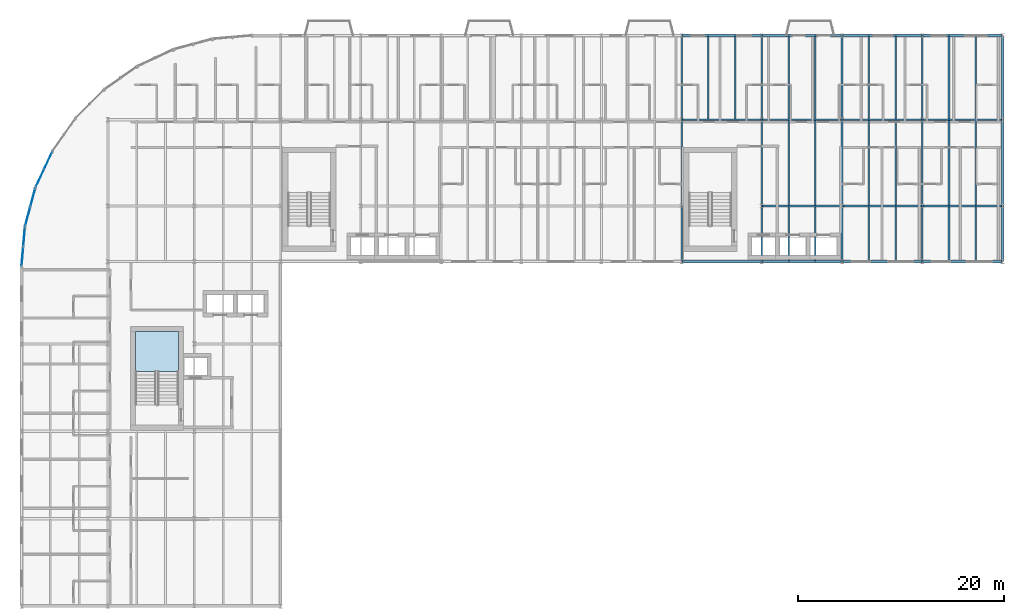
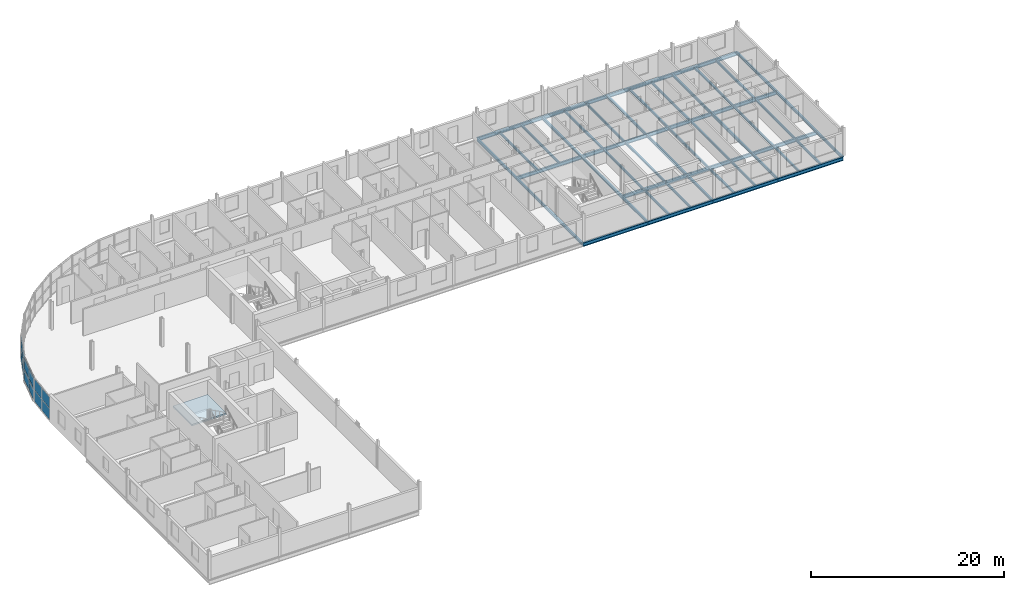
# One storey, part 10 of 25: 50 beams, 12 plates, 1 slab, 4 elements without a shape of their own.
"""IFC4 building model written with IfcOpenShell, lengths in metres."""

from ifc_helpers import new_model, si_unit, direction, frame, origin, origin_2d, place, context, subcontext, project, spatial, polyline, rectangle, i_section, outline, extrude, material, layer, layer_set, material_profile, profile_set, type_object, element, aggregate, save


model = new_model("IFC4")

# Units and contexts
model_context = context("Model", 3, precision=1e-05, world=origin(), true_north=direction((0.0, 1.0)))
body_context = subcontext(model_context, "Body", "Model", "MODEL_VIEW")
ifc_project = project(units=[si_unit("LENGTHUNIT", "METRE"), si_unit("AREAUNIT", "SQUARE_METRE"), si_unit("VOLUMEUNIT", "CUBIC_METRE"), si_unit("PLANEANGLEUNIT", "RADIAN"), si_unit("MASSUNIT", "GRAM", prefix="KILO")], contexts=[model_context])

# Site, building, storey
site_placement = place(None, origin())
site = spatial("IfcSite", under=ifc_project, at=site_placement, CompositionType="ELEMENT")
building_placement = place(site_placement, origin())
building = spatial("IfcBuilding", under=site, at=building_placement, Name="Sefraquen Railside Congress Hotel", CompositionType="ELEMENT")
storey_placement = place(building_placement, frame((0.0, 0.0, 39.0)))
storey = spatial("IfcBuildingStorey", under=building, at=storey_placement, Name="L09", CompositionType="ELEMENT", Elevation=39.0)

# Beams
ifc_material_1 = material(Name="Steel S355JR", Category="steel")
ifc_material_profile_1 = material_profile(ifc_material_1, i_section(OverallWidth=0.169921875, OverallDepth=0.360107421875, WebThickness=0.008056640625, FlangeThickness=0.0126953125, FilletRadius=0.01806640625, at=origin_2d()), Name="IPE 360")
ifc_profile_set_1 = profile_set([ifc_material_profile_1], Name="Steel S355JR")
beam_type_1 = type_object("IfcBeamType", Name="TB-BM-360", PredefinedType="BEAM", material=ifc_profile_set_1)
beam_1_placement = place(storey_placement, frame((64.199951171875, 96.0, -0.39990234375), z_axis=(0.0, 1.0, 0.0), x_axis=(-1.0, 0.0, 0.0)))
element("IfcBeam", 1, at=beam_1_placement, inside=storey, type_object=beam_type_1, Name="Floor beam BM-L09-2034", PredefinedType="BEAM", context=body_context, shape_type="SweptSolid", body=[
    extrude(i_section(OverallWidth=0.169921875, OverallDepth=0.360107421875, WebThickness=0.008056640625, FlangeThickness=0.0126953125, FilletRadius=0.01806640625, at=origin_2d()), origin(), (0.0, 0.0, 1.0), 5.39990234375),
])
beam_2_placement = place(storey_placement, frame((64.199951171875, 101.39990234375, -0.39990234375), z_axis=(0.0, 1.0, 0.0), x_axis=(-1.0, 0.0, 0.0)))
element("IfcBeam", 2, at=beam_2_placement, inside=storey, type_object=beam_type_1, Name="Floor beam BM-L09-2035", PredefinedType="BEAM", context=body_context, shape_type="SweptSolid", body=[
    extrude(i_section(OverallWidth=0.169921875, OverallDepth=0.360107421875, WebThickness=0.008056640625, FlangeThickness=0.0126953125, FilletRadius=0.01806640625, at=origin_2d()), origin(), (0.0, 0.0, 1.0), 8.400146484375),
])
beam_3_placement = place(storey_placement, frame((64.199951171875, 109.800048828125, -0.39990234375), z_axis=(0.0, 1.0, 0.0), x_axis=(-1.0, 0.0, 0.0)))
element("IfcBeam", 3, at=beam_3_placement, inside=storey, type_object=beam_type_1, Name="Floor beam BM-L09-2036", PredefinedType="BEAM", context=body_context, shape_type="SweptSolid", body=[
    extrude(i_section(OverallWidth=0.169921875, OverallDepth=0.360107421875, WebThickness=0.008056640625, FlangeThickness=0.0126953125, FilletRadius=0.01806640625, at=origin_2d()), origin(), (0.0, 0.0, 1.0), 8.199951171875),
])
beam_4_placement = place(storey_placement, frame((72.0, 96.0, -0.39990234375), z_axis=(0.0, 1.0, 0.0), x_axis=(-1.0, 0.0, 0.0)))
element("IfcBeam", 4, at=beam_4_placement, inside=storey, type_object=beam_type_1, Name="Floor beam BM-L09-2037", PredefinedType="BEAM", context=body_context, shape_type="SweptSolid", body=[
    extrude(i_section(OverallWidth=0.169921875, OverallDepth=0.360107421875, WebThickness=0.008056640625, FlangeThickness=0.0126953125, FilletRadius=0.01806640625, at=origin_2d()), origin(), (0.0, 0.0, 1.0), 5.39990234375),
])
beam_5_placement = place(storey_placement, frame((72.0, 101.39990234375, -0.39990234375), z_axis=(0.0, 1.0, 0.0), x_axis=(-1.0, 0.0, 0.0)))
element("IfcBeam", 5, at=beam_5_placement, inside=storey, type_object=beam_type_1, Name="Floor beam BM-L09-2038", PredefinedType="BEAM", context=body_context, shape_type="SweptSolid", body=[
    extrude(i_section(OverallWidth=0.169921875, OverallDepth=0.360107421875, WebThickness=0.008056640625, FlangeThickness=0.0126953125, FilletRadius=0.01806640625, at=origin_2d()), origin(), (0.0, 0.0, 1.0), 8.400146484375),
])
beam_6_placement = place(storey_placement, frame((72.0, 109.800048828125, -0.39990234375), z_axis=(0.0, 1.0, 0.0), x_axis=(-1.0, 0.0, 0.0)))
element("IfcBeam", 6, at=beam_6_placement, inside=storey, type_object=beam_type_1, Name="Floor beam BM-L09-2039", PredefinedType="BEAM", context=body_context, shape_type="SweptSolid", body=[
    extrude(i_section(OverallWidth=0.169921875, OverallDepth=0.360107421875, WebThickness=0.008056640625, FlangeThickness=0.0126953125, FilletRadius=0.01806640625, at=origin_2d()), origin(), (0.0, 0.0, 1.0), 8.199951171875),
])
beam_7_placement = place(storey_placement, frame((79.800048828125, 96.0, -0.39990234375), z_axis=(0.0, 1.0, 0.0), x_axis=(-1.0, 0.0, 0.0)))
element("IfcBeam", 7, at=beam_7_placement, inside=storey, type_object=beam_type_1, Name="Floor beam BM-L09-2040", PredefinedType="BEAM", context=body_context, shape_type="SweptSolid", body=[
    extrude(i_section(OverallWidth=0.169921875, OverallDepth=0.360107421875, WebThickness=0.008056640625, FlangeThickness=0.0126953125, FilletRadius=0.01806640625, at=origin_2d()), origin(), (0.0, 0.0, 1.0), 5.39990234375),
])
beam_8_placement = place(storey_placement, frame((79.800048828125, 101.39990234375, -0.39990234375), z_axis=(0.0, 1.0, 0.0), x_axis=(-1.0, 0.0, 0.0)))
element("IfcBeam", 8, at=beam_8_placement, inside=storey, type_object=beam_type_1, Name="Floor beam BM-L09-2041", PredefinedType="BEAM", context=body_context, shape_type="SweptSolid", body=[
    extrude(i_section(OverallWidth=0.169921875, OverallDepth=0.360107421875, WebThickness=0.008056640625, FlangeThickness=0.0126953125, FilletRadius=0.01806640625, at=origin_2d()), origin(), (0.0, 0.0, 1.0), 8.400146484375),
])
beam_9_placement = place(storey_placement, frame((79.800048828125, 109.800048828125, -0.39990234375), z_axis=(0.0, 1.0, 0.0), x_axis=(-1.0, 0.0, 0.0)))
element("IfcBeam", 9, at=beam_9_placement, inside=storey, type_object=beam_type_1, Name="Floor beam BM-L09-2042", PredefinedType="BEAM", context=body_context, shape_type="SweptSolid", body=[
    extrude(i_section(OverallWidth=0.169921875, OverallDepth=0.360107421875, WebThickness=0.008056640625, FlangeThickness=0.0126953125, FilletRadius=0.01806640625, at=origin_2d()), origin(), (0.0, 0.0, 1.0), 8.199951171875),
])
beam_10_placement = place(storey_placement, frame((87.60009765625, 96.0, -0.39990234375), z_axis=(0.0, 1.0, 0.0), x_axis=(-1.0, 0.0, 0.0)))
element("IfcBeam", 10, at=beam_10_placement, inside=storey, type_object=beam_type_1, Name="Floor beam BM-L09-2043", PredefinedType="BEAM", context=body_context, shape_type="SweptSolid", body=[
    extrude(i_section(OverallWidth=0.169921875, OverallDepth=0.360107421875, WebThickness=0.008056640625, FlangeThickness=0.0126953125, FilletRadius=0.01806640625, at=origin_2d()), origin(), (0.0, 0.0, 1.0), 5.39990234375),
])
beam_11_placement = place(storey_placement, frame((87.60009765625, 101.39990234375, -0.39990234375), z_axis=(0.0, 1.0, 0.0), x_axis=(-1.0, 0.0, 0.0)))
element("IfcBeam", 11, at=beam_11_placement, inside=storey, type_object=beam_type_1, Name="Floor beam BM-L09-2044", PredefinedType="BEAM", context=body_context, shape_type="SweptSolid", body=[
    extrude(i_section(OverallWidth=0.169921875, OverallDepth=0.360107421875, WebThickness=0.008056640625, FlangeThickness=0.0126953125, FilletRadius=0.01806640625, at=origin_2d()), origin(), (0.0, 0.0, 1.0), 8.400146484375),
])
beam_12_placement = place(storey_placement, frame((87.60009765625, 109.800048828125, -0.39990234375), z_axis=(0.0, 1.0, 0.0), x_axis=(-1.0, 0.0, 0.0)))
element("IfcBeam", 12, at=beam_12_placement, inside=storey, type_object=beam_type_1, Name="Floor beam BM-L09-2045", PredefinedType="BEAM", context=body_context, shape_type="SweptSolid", body=[
    extrude(i_section(OverallWidth=0.169921875, OverallDepth=0.360107421875, WebThickness=0.008056640625, FlangeThickness=0.0126953125, FilletRadius=0.01806640625, at=origin_2d()), origin(), (0.0, 0.0, 1.0), 8.199951171875),
])
beam_13_placement = place(storey_placement, frame((95.39990234375, 96.0, -0.39990234375), z_axis=(0.0, 1.0, 0.0), x_axis=(-1.0, 0.0, 0.0)))
element("IfcBeam", 13, at=beam_13_placement, inside=storey, type_object=beam_type_1, Name="Floor beam BM-L09-2046", PredefinedType="BEAM", context=body_context, shape_type="SweptSolid", body=[
    extrude(i_section(OverallWidth=0.169921875, OverallDepth=0.360107421875, WebThickness=0.008056640625, FlangeThickness=0.0126953125, FilletRadius=0.01806640625, at=origin_2d()), origin(), (0.0, 0.0, 1.0), 5.39990234375),
])
beam_14_placement = place(storey_placement, frame((95.39990234375, 101.39990234375, -0.39990234375), z_axis=(0.0, 1.0, 0.0), x_axis=(-1.0, 0.0, 0.0)))
element("IfcBeam", 14, at=beam_14_placement, inside=storey, type_object=beam_type_1, Name="Floor beam BM-L09-2047", PredefinedType="BEAM", context=body_context, shape_type="SweptSolid", body=[
    extrude(i_section(OverallWidth=0.169921875, OverallDepth=0.360107421875, WebThickness=0.008056640625, FlangeThickness=0.0126953125, FilletRadius=0.01806640625, at=origin_2d()), origin(), (0.0, 0.0, 1.0), 8.400146484375),
])
beam_15_placement = place(storey_placement, frame((95.39990234375, 109.800048828125, -0.39990234375), z_axis=(0.0, 1.0, 0.0), x_axis=(-1.0, 0.0, 0.0)))
element("IfcBeam", 15, at=beam_15_placement, inside=storey, type_object=beam_type_1, Name="Floor beam BM-L09-2048", PredefinedType="BEAM", context=body_context, shape_type="SweptSolid", body=[
    extrude(i_section(OverallWidth=0.169921875, OverallDepth=0.360107421875, WebThickness=0.008056640625, FlangeThickness=0.0126953125, FilletRadius=0.01806640625, at=origin_2d()), origin(), (0.0, 0.0, 1.0), 8.199951171875),
])
ifc_material_profile_2 = material_profile(ifc_material_1, i_section(OverallWidth=0.18994140625, OverallDepth=0.449951171875, WebThickness=0.009521484375, FlangeThickness=0.0146484375, FilletRadius=0.02099609375, at=origin_2d()), Name="IPE 450")
ifc_profile_set_2 = profile_set([ifc_material_profile_2], Name="Steel S355JR")
beam_type_2 = type_object("IfcBeamType", Name="TB-BM-450", PredefinedType="BEAM", material=ifc_profile_set_2)
for number, where, z_axis, x_axis, name in (
    (16, (64.199951171875, 96.0, -0.445068359375), (1.0, 0.0, 0.0), (0.0, 1.0, 0.0), "Primary girder BM-L09-1967"),
    (17, (72.0, 96.0, -0.445068359375), (1.0, 0.0, 0.0), (0.0, 1.0, 0.0), "Primary girder BM-L09-1968"),
    (18, (79.800048828125, 96.0, -0.445068359375), (1.0, 0.0, 0.0), (0.0, 1.0, 0.0), "Primary girder BM-L09-1969"),
):
    element("IfcBeam", number, at=place(storey_placement, frame(where, z_axis=z_axis, x_axis=x_axis)), inside=storey, type_object=beam_type_2, Name=name, PredefinedType="BEAM", context=body_context, shape_type="SweptSolid", body=[
        extrude(i_section(OverallWidth=0.18994140625, OverallDepth=0.449951171875, WebThickness=0.009521484375, FlangeThickness=0.0146484375, FilletRadius=0.02099609375, at=origin_2d()), origin(), (0.0, 0.0, 1.0), 7.800048828125),
    ])
beam_16_placement = place(storey_placement, frame((87.60009765625, 96.0, -0.445068359375), z_axis=(1.0, 0.0, 0.0), x_axis=(0.0, 1.0, 0.0)))
element("IfcBeam", 19, at=beam_16_placement, inside=storey, type_object=beam_type_2, Name="Primary girder BM-L09-1970", PredefinedType="BEAM", context=body_context, shape_type="SweptSolid", body=[
    extrude(i_section(OverallWidth=0.18994140625, OverallDepth=0.449951171875, WebThickness=0.009521484375, FlangeThickness=0.0146484375, FilletRadius=0.02099609375, at=origin_2d()), origin(), (0.0, 0.0, 1.0), 7.7998046875),
])
for number, where, z_axis, x_axis, name in (
    (20, (72.0, 101.39990234375, -0.445068359375), (1.0, 0.0, 0.0), (0.0, 1.0, 0.0), "Primary girder BM-L09-1977"),
    (21, (79.800048828125, 101.39990234375, -0.445068359375), (1.0, 0.0, 0.0), (0.0, 1.0, 0.0), "Primary girder BM-L09-1978"),
):
    element("IfcBeam", number, at=place(storey_placement, frame(where, z_axis=z_axis, x_axis=x_axis)), inside=storey, type_object=beam_type_2, Name=name, PredefinedType="BEAM", context=body_context, shape_type="SweptSolid", body=[
        extrude(i_section(OverallWidth=0.18994140625, OverallDepth=0.449951171875, WebThickness=0.009521484375, FlangeThickness=0.0146484375, FilletRadius=0.02099609375, at=origin_2d()), origin(), (0.0, 0.0, 1.0), 7.800048828125),
    ])
beam_17_placement = place(storey_placement, frame((87.60009765625, 101.39990234375, -0.445068359375), z_axis=(1.0, 0.0, 0.0), x_axis=(0.0, 1.0, 0.0)))
element("IfcBeam", 22, at=beam_17_placement, inside=storey, type_object=beam_type_2, Name="Primary girder BM-L09-1979", PredefinedType="BEAM", context=body_context, shape_type="SweptSolid", body=[
    extrude(i_section(OverallWidth=0.18994140625, OverallDepth=0.449951171875, WebThickness=0.009521484375, FlangeThickness=0.0146484375, FilletRadius=0.02099609375, at=origin_2d()), origin(), (0.0, 0.0, 1.0), 7.7998046875),
])
for number, where, z_axis, x_axis, name in (
    (23, (64.199951171875, 109.800048828125, -0.445068359375), (1.0, 0.0, 0.0), (0.0, 1.0, 0.0), "Primary girder BM-L09-1987"),
    (24, (72.0, 109.800048828125, -0.445068359375), (1.0, 0.0, 0.0), (0.0, 1.0, 0.0), "Primary girder BM-L09-1988"),
    (25, (79.800048828125, 109.800048828125, -0.445068359375), (1.0, 0.0, 0.0), (0.0, 1.0, 0.0), "Primary girder BM-L09-1989"),
):
    element("IfcBeam", number, at=place(storey_placement, frame(where, z_axis=z_axis, x_axis=x_axis)), inside=storey, type_object=beam_type_2, Name=name, PredefinedType="BEAM", context=body_context, shape_type="SweptSolid", body=[
        extrude(i_section(OverallWidth=0.18994140625, OverallDepth=0.449951171875, WebThickness=0.009521484375, FlangeThickness=0.0146484375, FilletRadius=0.02099609375, at=origin_2d()), origin(), (0.0, 0.0, 1.0), 7.800048828125),
    ])
beam_18_placement = place(storey_placement, frame((87.60009765625, 109.800048828125, -0.445068359375), z_axis=(1.0, 0.0, 0.0), x_axis=(0.0, 1.0, 0.0)))
element("IfcBeam", 26, at=beam_18_placement, inside=storey, type_object=beam_type_2, Name="Primary girder BM-L09-1990", PredefinedType="BEAM", context=body_context, shape_type="SweptSolid", body=[
    extrude(i_section(OverallWidth=0.18994140625, OverallDepth=0.449951171875, WebThickness=0.009521484375, FlangeThickness=0.0146484375, FilletRadius=0.02099609375, at=origin_2d()), origin(), (0.0, 0.0, 1.0), 7.7998046875),
])
for number, where, z_axis, x_axis, name in (
    (27, (64.199951171875, 118.0, -0.445068359375), (1.0, 0.0, 0.0), (0.0, 1.0, 0.0), "Primary girder BM-L09-1996"),
    (28, (72.0, 118.0, -0.445068359375), (1.0, 0.0, 0.0), (0.0, 1.0, 0.0), "Primary girder BM-L09-1997"),
    (29, (79.800048828125, 118.0, -0.445068359375), (1.0, 0.0, 0.0), (0.0, 1.0, 0.0), "Primary girder BM-L09-1998"),
):
    element("IfcBeam", number, at=place(storey_placement, frame(where, z_axis=z_axis, x_axis=x_axis)), inside=storey, type_object=beam_type_2, Name=name, PredefinedType="BEAM", context=body_context, shape_type="SweptSolid", body=[
        extrude(i_section(OverallWidth=0.18994140625, OverallDepth=0.449951171875, WebThickness=0.009521484375, FlangeThickness=0.0146484375, FilletRadius=0.02099609375, at=origin_2d()), origin(), (0.0, 0.0, 1.0), 7.800048828125),
    ])
beam_19_placement = place(storey_placement, frame((87.60009765625, 118.0, -0.445068359375), z_axis=(1.0, 0.0, 0.0), x_axis=(0.0, 1.0, 0.0)))
element("IfcBeam", 30, at=beam_19_placement, inside=storey, type_object=beam_type_2, Name="Primary girder BM-L09-1999", PredefinedType="BEAM", context=body_context, shape_type="SweptSolid", body=[
    extrude(i_section(OverallWidth=0.18994140625, OverallDepth=0.449951171875, WebThickness=0.009521484375, FlangeThickness=0.0146484375, FilletRadius=0.02099609375, at=origin_2d()), origin(), (0.0, 0.0, 1.0), 7.7998046875),
])
ifc_material_profile_3 = material_profile(ifc_material_1, i_section(OverallWidth=0.14990234375, OverallDepth=0.300048828125, WebThickness=0.007080078125, FlangeThickness=0.0107421875, FilletRadius=0.014892578125, at=origin_2d()), Name="IPE 300")
ifc_profile_set_3 = profile_set([ifc_material_profile_3], Name="Steel S355JR")
beam_type_3 = type_object("IfcBeamType", Name="TB-JST-300", PredefinedType="JOIST", material=ifc_profile_set_3)
for number, where, z_axis, x_axis, name in (
    (31, (66.800048828125, 109.875, -0.3701171875), (0.0, 1.0, 0.0), (-1.0, 0.0, 0.0), "Composite floor joist BM-L09-J1376"),
    (32, (69.39990234375, 109.875, -0.3701171875), (0.0, 1.0, 0.0), (-1.0, 0.0, 0.0), "Composite floor joist BM-L09-J1377"),
):
    element("IfcBeam", number, at=place(storey_placement, frame(where, z_axis=z_axis, x_axis=x_axis)), inside=storey, type_object=beam_type_3, Name=name, PredefinedType="JOIST", context=body_context, shape_type="SweptSolid", body=[
        extrude(i_section(OverallWidth=0.14990234375, OverallDepth=0.300048828125, WebThickness=0.007080078125, FlangeThickness=0.0107421875, FilletRadius=0.014892578125, at=origin_2d()), origin(), (0.0, 0.0, 1.0), 8.050048828125),
    ])
for number, where, z_axis, x_axis, name in (
    (33, (74.60009765625, 96.074951171875, -0.3701171875), (0.0, 1.0, 0.0), (-1.0, 0.0, 0.0), "Composite floor joist BM-L09-J1378"),
    (34, (77.199951171875, 96.074951171875, -0.3701171875), (0.0, 1.0, 0.0), (-1.0, 0.0, 0.0), "Composite floor joist BM-L09-J1379"),
):
    element("IfcBeam", number, at=place(storey_placement, frame(where, z_axis=z_axis, x_axis=x_axis)), inside=storey, type_object=beam_type_3, Name=name, PredefinedType="JOIST", context=body_context, shape_type="SweptSolid", body=[
        extrude(i_section(OverallWidth=0.14990234375, OverallDepth=0.300048828125, WebThickness=0.007080078125, FlangeThickness=0.0107421875, FilletRadius=0.014892578125, at=origin_2d()), origin(), (0.0, 0.0, 1.0), 5.25),
    ])
for number, where, z_axis, x_axis, name in (
    (35, (74.60009765625, 101.47509765625, -0.3701171875), (0.0, 1.0, 0.0), (-1.0, 0.0, 0.0), "Composite floor joist BM-L09-J1380"),
    (36, (77.199951171875, 101.47509765625, -0.3701171875), (0.0, 1.0, 0.0), (-1.0, 0.0, 0.0), "Composite floor joist BM-L09-J1381"),
):
    element("IfcBeam", number, at=place(storey_placement, frame(where, z_axis=z_axis, x_axis=x_axis)), inside=storey, type_object=beam_type_3, Name=name, PredefinedType="JOIST", context=body_context, shape_type="SweptSolid", body=[
        extrude(i_section(OverallWidth=0.14990234375, OverallDepth=0.300048828125, WebThickness=0.007080078125, FlangeThickness=0.0107421875, FilletRadius=0.014892578125, at=origin_2d()), origin(), (0.0, 0.0, 1.0), 8.25),
    ])
for number, where, z_axis, x_axis, name in (
    (37, (74.60009765625, 109.875, -0.3701171875), (0.0, 1.0, 0.0), (-1.0, 0.0, 0.0), "Composite floor joist BM-L09-J1382"),
    (38, (77.199951171875, 109.875, -0.3701171875), (0.0, 1.0, 0.0), (-1.0, 0.0, 0.0), "Composite floor joist BM-L09-J1383"),
):
    element("IfcBeam", number, at=place(storey_placement, frame(where, z_axis=z_axis, x_axis=x_axis)), inside=storey, type_object=beam_type_3, Name=name, PredefinedType="JOIST", context=body_context, shape_type="SweptSolid", body=[
        extrude(i_section(OverallWidth=0.14990234375, OverallDepth=0.300048828125, WebThickness=0.007080078125, FlangeThickness=0.0107421875, FilletRadius=0.014892578125, at=origin_2d()), origin(), (0.0, 0.0, 1.0), 8.050048828125),
    ])
for number, where, z_axis, x_axis, name in (
    (39, (82.39990234375, 96.074951171875, -0.3701171875), (0.0, 1.0, 0.0), (-1.0, 0.0, 0.0), "Composite floor joist BM-L09-J1384"),
    (40, (85.0, 96.074951171875, -0.3701171875), (0.0, 1.0, 0.0), (-1.0, 0.0, 0.0), "Composite floor joist BM-L09-J1385"),
):
    element("IfcBeam", number, at=place(storey_placement, frame(where, z_axis=z_axis, x_axis=x_axis)), inside=storey, type_object=beam_type_3, Name=name, PredefinedType="JOIST", context=body_context, shape_type="SweptSolid", body=[
        extrude(i_section(OverallWidth=0.14990234375, OverallDepth=0.300048828125, WebThickness=0.007080078125, FlangeThickness=0.0107421875, FilletRadius=0.014892578125, at=origin_2d()), origin(), (0.0, 0.0, 1.0), 5.25),
    ])
for number, where, z_axis, x_axis, name in (
    (41, (82.39990234375, 101.47509765625, -0.3701171875), (0.0, 1.0, 0.0), (-1.0, 0.0, 0.0), "Composite floor joist BM-L09-J1386"),
    (42, (85.0, 101.47509765625, -0.3701171875), (0.0, 1.0, 0.0), (-1.0, 0.0, 0.0), "Composite floor joist BM-L09-J1387"),
):
    element("IfcBeam", number, at=place(storey_placement, frame(where, z_axis=z_axis, x_axis=x_axis)), inside=storey, type_object=beam_type_3, Name=name, PredefinedType="JOIST", context=body_context, shape_type="SweptSolid", body=[
        extrude(i_section(OverallWidth=0.14990234375, OverallDepth=0.300048828125, WebThickness=0.007080078125, FlangeThickness=0.0107421875, FilletRadius=0.014892578125, at=origin_2d()), origin(), (0.0, 0.0, 1.0), 8.25),
    ])
for number, where, z_axis, x_axis, name in (
    (43, (82.39990234375, 109.875, -0.3701171875), (0.0, 1.0, 0.0), (-1.0, 0.0, 0.0), "Composite floor joist BM-L09-J1388"),
    (44, (85.0, 109.875, -0.3701171875), (0.0, 1.0, 0.0), (-1.0, 0.0, 0.0), "Composite floor joist BM-L09-J1389"),
):
    element("IfcBeam", number, at=place(storey_placement, frame(where, z_axis=z_axis, x_axis=x_axis)), inside=storey, type_object=beam_type_3, Name=name, PredefinedType="JOIST", context=body_context, shape_type="SweptSolid", body=[
        extrude(i_section(OverallWidth=0.14990234375, OverallDepth=0.300048828125, WebThickness=0.007080078125, FlangeThickness=0.0107421875, FilletRadius=0.014892578125, at=origin_2d()), origin(), (0.0, 0.0, 1.0), 8.050048828125),
    ])
for number, where, z_axis, x_axis, name in (
    (45, (90.199951171875, 96.074951171875, -0.3701171875), (0.0, 1.0, 0.0), (-1.0, 0.0, 0.0), "Composite floor joist BM-L09-J1390"),
    (46, (92.800048828125, 96.074951171875, -0.3701171875), (0.0, 1.0, 0.0), (-1.0, 0.0, 0.0), "Composite floor joist BM-L09-J1391"),
):
    element("IfcBeam", number, at=place(storey_placement, frame(where, z_axis=z_axis, x_axis=x_axis)), inside=storey, type_object=beam_type_3, Name=name, PredefinedType="JOIST", context=body_context, shape_type="SweptSolid", body=[
        extrude(i_section(OverallWidth=0.14990234375, OverallDepth=0.300048828125, WebThickness=0.007080078125, FlangeThickness=0.0107421875, FilletRadius=0.014892578125, at=origin_2d()), origin(), (0.0, 0.0, 1.0), 5.25),
    ])
for number, where, z_axis, x_axis, name in (
    (47, (90.199951171875, 101.47509765625, -0.3701171875), (0.0, 1.0, 0.0), (-1.0, 0.0, 0.0), "Composite floor joist BM-L09-J1392"),
    (48, (92.800048828125, 101.47509765625, -0.3701171875), (0.0, 1.0, 0.0), (-1.0, 0.0, 0.0), "Composite floor joist BM-L09-J1393"),
):
    element("IfcBeam", number, at=place(storey_placement, frame(where, z_axis=z_axis, x_axis=x_axis)), inside=storey, type_object=beam_type_3, Name=name, PredefinedType="JOIST", context=body_context, shape_type="SweptSolid", body=[
        extrude(i_section(OverallWidth=0.14990234375, OverallDepth=0.300048828125, WebThickness=0.007080078125, FlangeThickness=0.0107421875, FilletRadius=0.014892578125, at=origin_2d()), origin(), (0.0, 0.0, 1.0), 8.25),
    ])
for number, where, z_axis, x_axis, name in (
    (49, (90.199951171875, 109.875, -0.3701171875), (0.0, 1.0, 0.0), (-1.0, 0.0, 0.0), "Composite floor joist BM-L09-J1394"),
    (50, (92.800048828125, 109.875, -0.3701171875), (0.0, 1.0, 0.0), (-1.0, 0.0, 0.0), "Composite floor joist BM-L09-J1395"),
):
    element("IfcBeam", number, at=place(storey_placement, frame(where, z_axis=z_axis, x_axis=x_axis)), inside=storey, type_object=beam_type_3, Name=name, PredefinedType="JOIST", context=body_context, shape_type="SweptSolid", body=[
        extrude(i_section(OverallWidth=0.14990234375, OverallDepth=0.300048828125, WebThickness=0.007080078125, FlangeThickness=0.0107421875, FilletRadius=0.014892578125, at=origin_2d()), origin(), (0.0, 0.0, 1.0), 8.050048828125),
    ])

# Curtain wall, plates
ifc_material_2 = material(Name="Thermally broken anodised aluminium and low-E double glazing", Category="aluminium")
ifc_layer_1 = layer(ifc_material_2, 0.199951171875)
ifc_layer_set_1 = layer_set([ifc_layer_1], Name="Thermally broken anodised aluminium and low-E double glazing")
curtain_wall_type_1 = type_object("IfcCurtainWallType", Name="TCW-UCW-24", PredefinedType="USERDEFINED", material=ifc_layer_set_1)
curtain_wall_1_placement = place(storey_placement, origin())
curtain_wall_1 = element("IfcCurtainWall", 51, at=curtain_wall_1_placement, inside=storey, type_object=curtain_wall_type_1, Name="Rotunda L09 curved curtain wall facet 7", ObjectType="UNITISED CURTAIN WALL", PredefinedType="USERDEFINED")
ifc_material_3 = material(Name="Solar-control low-E double glazing", Category="glass")
ifc_layer_2 = layer(ifc_material_3, 0.02392578125)
ifc_layer_set_2 = layer_set([ifc_layer_2], Name="Solar-control low-E double glazing")
plate_type_1 = type_object("IfcPlateType", Name="TP-CWP-01", PredefinedType="CURTAIN_PANEL", material=ifc_layer_set_2)
plate_1_placement = place(storey_placement, frame((2.591552734375, 105.84326171875, 0.0400390625), z_axis=(0.0, 0.0, 1.0), x_axis=(-0.422634079731, -0.906300410818, 0.0)))
plate_1 = element("IfcPlate", 52, at=plate_1_placement, type_object=plate_type_1, Name="CW-L09-ROT-07 panel 1.1", PredefinedType="CURTAIN_PANEL", context=body_context, shape_type="SweptSolid", body=[
    extrude(rectangle(XDim=1.830810546875, YDim=0.02392578125, at=origin_2d()), origin(), (0.0, 0.0, 1.0), 1.385009765625),
])
plate_2_placement = place(storey_placement, frame((1.77978515625, 104.102294921875, 0.0400390625), z_axis=(0.0, 0.0, 1.0), x_axis=(-0.422634079731, -0.906300410818, 0.0)))
plate_2 = element("IfcPlate", 53, at=plate_2_placement, type_object=plate_type_1, Name="CW-L09-ROT-07 panel 1.2", PredefinedType="CURTAIN_PANEL", context=body_context, shape_type="SweptSolid", body=[
    extrude(rectangle(XDim=1.830810546875, YDim=0.02392578125, at=origin_2d()), origin(), (0.0, 0.0, 1.0), 1.385009765625),
])

ifc_layer_3 = layer(ifc_material_2, 0.199951171875)
ifc_layer_set_3 = layer_set([ifc_layer_3], Name="Thermally broken anodised aluminium and low-E double glazing")
curtain_wall_type_2 = type_object("IfcCurtainWallType", Name="TCW-UCW-25", PredefinedType="USERDEFINED", material=ifc_layer_set_3)
curtain_wall_2_placement = place(storey_placement, origin())
curtain_wall_2 = element("IfcCurtainWall", 54, at=curtain_wall_2_placement, inside=storey, type_object=curtain_wall_type_2, Name="Rotunda L09 curved curtain wall facet 8", ObjectType="UNITISED CURTAIN WALL", PredefinedType="USERDEFINED")
plate_3_placement = place(storey_placement, frame((1.097900390625, 102.22900390625, 0.0400390625), z_axis=(0.0, 0.0, 1.0), x_axis=(-0.258785327773, -0.96593486019, 0.0)))
plate_3 = element("IfcPlate", 55, at=plate_3_placement, type_object=plate_type_1, Name="CW-L09-ROT-08 panel 1.1", PredefinedType="CURTAIN_PANEL", context=body_context, shape_type="SweptSolid", body=[
    extrude(rectangle(XDim=1.8310546875, YDim=0.02392578125, at=origin_2d()), origin(), (0.0, 0.0, 1.0), 1.385009765625),
])
plate_4_placement = place(storey_placement, frame((0.6005859375, 100.37353515625, 0.0400390625), z_axis=(0.0, 0.0, 1.0), x_axis=(-0.258785327773, -0.96593486019, 0.0)))
plate_4 = element("IfcPlate", 56, at=plate_4_placement, type_object=plate_type_1, Name="CW-L09-ROT-08 panel 1.2", PredefinedType="CURTAIN_PANEL", context=body_context, shape_type="SweptSolid", body=[
    extrude(rectangle(XDim=1.8310546875, YDim=0.02392578125, at=origin_2d()), origin(), (0.0, 0.0, 1.0), 1.385009765625),
])

ifc_layer_4 = layer(ifc_material_2, 0.199951171875)
ifc_layer_set_4 = layer_set([ifc_layer_4], Name="Thermally broken anodised aluminium and low-E double glazing")
curtain_wall_type_3 = type_object("IfcCurtainWallType", Name="TCW-UCW-26", PredefinedType="USERDEFINED", material=ifc_layer_set_4)
curtain_wall_3_placement = place(storey_placement, origin())
curtain_wall_3 = element("IfcCurtainWall", 57, at=curtain_wall_3_placement, inside=storey, type_object=curtain_wall_type_3, Name="Rotunda L09 curved curtain wall facet 9", ObjectType="UNITISED CURTAIN WALL", PredefinedType="USERDEFINED")
plate_5_placement = place(storey_placement, frame((0.254638671875, 98.410400390625, 0.0400390625), z_axis=(0.0, 0.0, 1.0), x_axis=(-0.087138355857, -0.996196219095, 0.0)))
plate_5 = element("IfcPlate", 58, at=plate_5_placement, type_object=plate_type_1, Name="CW-L09-ROT-09 panel 1.1", PredefinedType="CURTAIN_PANEL", context=body_context, shape_type="SweptSolid", body=[
    extrude(rectangle(XDim=1.8310546875, YDim=0.02392578125, at=origin_2d()), origin(), (0.0, 0.0, 1.0), 1.385009765625),
])
plate_6_placement = place(storey_placement, frame((0.087158203125, 96.49658203125, 0.0400390625), z_axis=(0.0, 0.0, 1.0), x_axis=(-0.087138355857, -0.996196219095, 0.0)))
plate_6 = element("IfcPlate", 59, at=plate_6_placement, type_object=plate_type_1, Name="CW-L09-ROT-09 panel 1.2", PredefinedType="CURTAIN_PANEL", context=body_context, shape_type="SweptSolid", body=[
    extrude(rectangle(XDim=1.8310546875, YDim=0.02392578125, at=origin_2d()), origin(), (0.0, 0.0, 1.0), 1.385009765625),
])

# Plate
ifc_material_4 = material(Name="Triple acoustic solar-control glazing", Category="glass")
ifc_layer_5 = layer(ifc_material_4, 0.031982421875)
ifc_layer_set_5 = layer_set([ifc_layer_5], Name="Triple acoustic solar-control glazing")
plate_type_2 = type_object("IfcPlateType", Name="TP-CWP-02", PredefinedType="CURTAIN_PANEL", material=ifc_layer_set_5)
plate_7_placement = place(storey_placement, frame((2.591552734375, 105.84326171875, 1.5048828125), z_axis=(0.0, 0.0, 1.0), x_axis=(-0.422634079731, -0.906300410818, 0.0)))
plate_7 = element("IfcPlate", 60, at=plate_7_placement, type_object=plate_type_2, Name="CW-L09-ROT-07 panel 2.1", PredefinedType="CURTAIN_PANEL", context=body_context, shape_type="SweptSolid", body=[
    extrude(rectangle(XDim=1.830810546875, YDim=0.031982421875, at=origin_2d()), origin(), (0.0, 0.0, 1.0), 1.385009765625),
])

plate_8_placement = place(storey_placement, frame((1.77978515625, 104.102294921875, 1.5048828125), z_axis=(0.0, 0.0, 1.0), x_axis=(-0.422634079731, -0.906300410818, 0.0)))
plate_8 = element("IfcPlate", 61, at=plate_8_placement, type_object=plate_type_2, Name="CW-L09-ROT-07 panel 2.2", PredefinedType="CURTAIN_PANEL", context=body_context, shape_type="SweptSolid", body=[
    extrude(rectangle(XDim=1.830810546875, YDim=0.031982421875, at=origin_2d()), origin(), (0.0, 0.0, 1.0), 1.385009765625),
])

aggregate(curtain_wall_1, [plate_1, plate_2, plate_7, plate_8])

plate_9_placement = place(storey_placement, frame((1.097900390625, 102.22900390625, 1.5048828125), z_axis=(0.0, 0.0, 1.0), x_axis=(-0.258785327773, -0.96593486019, 0.0)))
plate_9 = element("IfcPlate", 62, at=plate_9_placement, type_object=plate_type_2, Name="CW-L09-ROT-08 panel 2.1", PredefinedType="CURTAIN_PANEL", context=body_context, shape_type="SweptSolid", body=[
    extrude(rectangle(XDim=1.8310546875, YDim=0.031982421875, at=origin_2d()), origin(), (0.0, 0.0, 1.0), 1.385009765625),
])

plate_10_placement = place(storey_placement, frame((0.6005859375, 100.37353515625, 1.5048828125), z_axis=(0.0, 0.0, 1.0), x_axis=(-0.258785327773, -0.96593486019, 0.0)))
plate_10 = element("IfcPlate", 63, at=plate_10_placement, type_object=plate_type_2, Name="CW-L09-ROT-08 panel 2.2", PredefinedType="CURTAIN_PANEL", context=body_context, shape_type="SweptSolid", body=[
    extrude(rectangle(XDim=1.8310546875, YDim=0.031982421875, at=origin_2d()), origin(), (0.0, 0.0, 1.0), 1.385009765625),
])

aggregate(curtain_wall_2, [plate_3, plate_4, plate_9, plate_10])

plate_11_placement = place(storey_placement, frame((0.254638671875, 98.410400390625, 1.5048828125), z_axis=(0.0, 0.0, 1.0), x_axis=(-0.087138355857, -0.996196219095, 0.0)))
plate_11 = element("IfcPlate", 64, at=plate_11_placement, type_object=plate_type_2, Name="CW-L09-ROT-09 panel 2.1", PredefinedType="CURTAIN_PANEL", context=body_context, shape_type="SweptSolid", body=[
    extrude(rectangle(XDim=1.8310546875, YDim=0.031982421875, at=origin_2d()), origin(), (0.0, 0.0, 1.0), 1.385009765625),
])

plate_12_placement = place(storey_placement, frame((0.087158203125, 96.49658203125, 1.5048828125), z_axis=(0.0, 0.0, 1.0), x_axis=(-0.087138355857, -0.996196219095, 0.0)))
plate_12 = element("IfcPlate", 65, at=plate_12_placement, type_object=plate_type_2, Name="CW-L09-ROT-09 panel 2.2", PredefinedType="CURTAIN_PANEL", context=body_context, shape_type="SweptSolid", body=[
    extrude(rectangle(XDim=1.8310546875, YDim=0.031982421875, at=origin_2d()), origin(), (0.0, 0.0, 1.0), 1.385009765625),
])

aggregate(curtain_wall_3, [plate_5, plate_6, plate_11, plate_12])

# Stair, slab
ifc_material_5 = material(Name="Concrete C40/50", Category="concrete")
stair_type = type_object("IfcStairType", Name="TST-DOG-198-360", PredefinedType="HALF_TURN_STAIR", material=ifc_material_5)
stair_placement = place(storey_placement, origin())
stair = element("IfcStair", 66, at=stair_placement, inside=storey, type_object=stair_type, Name="L09 Pressurized escape stair ST-H01", PredefinedType="HALF_TURN_STAIR")
ifc_layer_6 = layer(ifc_material_5, 0.199951171875)
ifc_layer_set_6 = layer_set([ifc_layer_6], Name="Concrete C40/50")
slab_type = type_object("IfcSlabType", Name="TS-LD-200", PredefinedType="LANDING", material=ifc_layer_set_6)
slab_placement = place(storey_placement, frame((0.0, 0.0, 1.60009765625)))
slab = element("IfcSlab", 67, at=slab_placement, type_object=slab_type, Name="ST-H01 landing 1", PredefinedType="LANDING", context=body_context, shape_type="SweptSolid", body=[
    extrude(outline(polyline([(15.260009765625, 85.300048828125), (15.260009765625, 89.2119140625), (11.10009765625, 89.2119140625), (11.10009765625, 85.300048828125), (15.260009765625, 85.300048828125)])), origin(), (0.0, 0.0, 1.0), 0.199951171875),
])
aggregate(stair, [slab])

save(model, "model.ifc")
